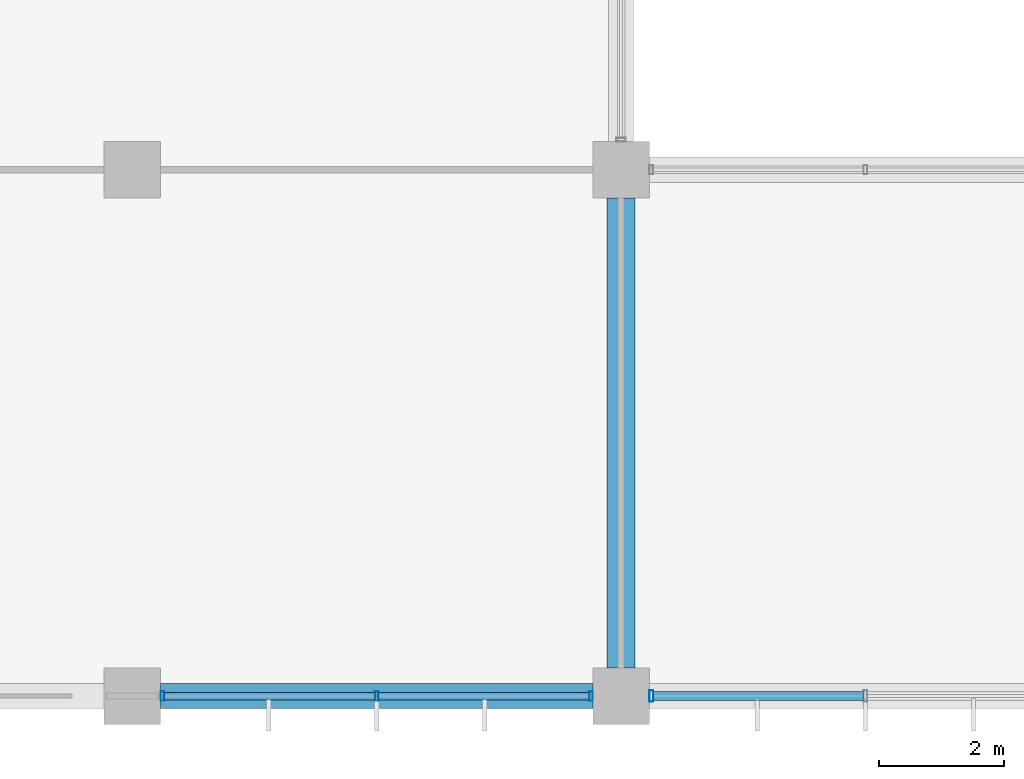
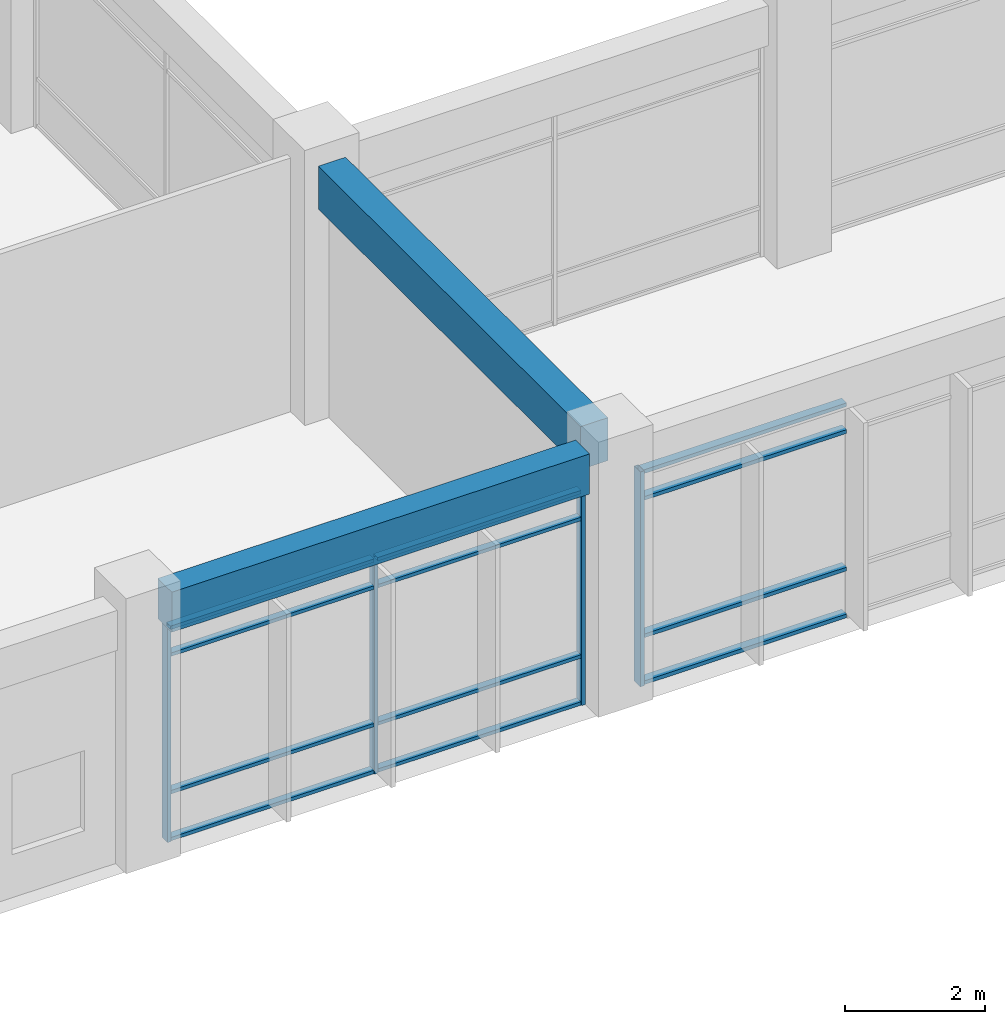
# One storey, part 19 of 79: 16 members, 2 beams, 2 elements without a shape of their own.
"""IFC4 building model written with IfcOpenShell, lengths in metres."""

from ifc_helpers import new_model, si_unit, direction, frame, origin, origin_2d, place, context, subcontext, project, spatial, rectangle, hollow_rectangle, extrude, material, material_profile, profile_set, type_object, element, aggregate, save


model = new_model("IFC4")

# Units and contexts
model_context = context("Model", 3, precision=1e-05, world=origin(), true_north=direction((0.0, 1.0)))
body_context = subcontext(model_context, "Body", "Model", "MODEL_VIEW")
ifc_project = project(units=[si_unit("LENGTHUNIT", "METRE"), si_unit("AREAUNIT", "SQUARE_METRE"), si_unit("VOLUMEUNIT", "CUBIC_METRE"), si_unit("PLANEANGLEUNIT", "RADIAN"), si_unit("MASSUNIT", "GRAM", prefix="KILO"), si_unit("THERMODYNAMICTEMPERATUREUNIT", "KELVIN"), si_unit("POWERUNIT", "WATT")], contexts=[model_context])

# Site, building, storey
site_placement = place(None, origin())
site = spatial("IfcSite", under=ifc_project, at=site_placement, CompositionType="ELEMENT")
building_placement = place(site_placement, origin())
building = spatial("IfcBuilding", under=site, at=building_placement, Name="Srebrne Nadtorze General Hospital", CompositionType="ELEMENT")
storey_placement = place(building_placement, frame((0.0, 0.0, 4.800048828125)))
storey = spatial("IfcBuildingStorey", under=building, at=storey_placement, Name="L01", CompositionType="ELEMENT", Elevation=4.800048828125)

# Curtain wall, members
ifc_material_1 = material(Name="Anodised Aluminium", Category="aluminium")
curtain_wall_type = type_object("IfcCurtainWallType", Name="Unitised curtain wall 6900x3750", PredefinedType="NOTDEFINED", material=ifc_material_1)
curtain_wall_1_placement = place(storey_placement, origin())
curtain_wall_1 = element("IfcCurtainWall", 1, at=curtain_wall_1_placement, inside=storey, type_object=curtain_wall_type, Name="Curtain wall CW-036", PredefinedType="NOTDEFINED")
ifc_material_2 = material(Name="Anodised Aluminium", Category="aluminium")
ifc_material_profile_1 = material_profile(ifc_material_2, hollow_rectangle(XDim=0.06005859375, YDim=0.14990234375, WallThickness=0.00390625, at=origin_2d()), Name="AL-MUL-60x150")
ifc_profile_set_1 = profile_set([ifc_material_profile_1], Name="Anodised Aluminium")
member_type_1 = type_object("IfcMemberType", Name="Curtain mullion 60x150", PredefinedType="MULLION", material=ifc_profile_set_1)
member_1_placement = place(storey_placement, frame((109.679931640625, 0.0, 0.0), z_axis=(0.0, 0.0, 1.0), x_axis=(1.0, 0.0, 0.0)))
member_1 = element("IfcMember", 2, at=member_1_placement, type_object=member_type_1, Name="CW-036 mullion 1", PredefinedType="MULLION", context=body_context, shape_type="SweptSolid", body=[
    extrude(hollow_rectangle(XDim=0.06005859375, YDim=0.14990234375, WallThickness=0.00390625, at=origin_2d()), origin(), (0.0, 0.0, 1.0), 3.75),
])
member_2_placement = place(storey_placement, frame((113.10009765625, 0.0, 0.0), z_axis=(0.0, 0.0, 1.0), x_axis=(1.0, 0.0, 0.0)))
member_2 = element("IfcMember", 3, at=member_2_placement, type_object=member_type_1, Name="CW-036 mullion 2", PredefinedType="MULLION", context=body_context, shape_type="SweptSolid", body=[
    extrude(hollow_rectangle(XDim=0.06005859375, YDim=0.14990234375, WallThickness=0.00390625, at=origin_2d()), origin(), (0.0, 0.0, 1.0), 3.75),
])
member_3_placement = place(storey_placement, frame((116.52001953125, 0.0, 0.0), z_axis=(0.0, 0.0, 1.0), x_axis=(1.0, 0.0, 0.0)))
member_3 = element("IfcMember", 4, at=member_3_placement, type_object=member_type_1, Name="CW-036 mullion 3", PredefinedType="MULLION", context=body_context, shape_type="SweptSolid", body=[
    extrude(hollow_rectangle(XDim=0.06005859375, YDim=0.14990234375, WallThickness=0.00390625, at=origin_2d()), origin(), (0.0, 0.0, 1.0), 3.75),
])

# Curtain wall, member
curtain_wall_2_placement = place(storey_placement, origin())
curtain_wall_2 = element("IfcCurtainWall", 5, at=curtain_wall_2_placement, inside=storey, type_object=curtain_wall_type, Name="Curtain wall CW-037", PredefinedType="NOTDEFINED")
ifc_material_3 = material(Name="Anodised Aluminium", Category="aluminium")
ifc_material_profile_2 = material_profile(ifc_material_3, hollow_rectangle(XDim=0.06494140625, YDim=0.179931640625, WallThickness=0.00390625, at=origin_2d()), Name="AL-MUL-65x180")
ifc_profile_set_2 = profile_set([ifc_material_profile_2], Name="Anodised Aluminium")
member_type_2 = type_object("IfcMemberType", Name="Curtain mullion 65x180", PredefinedType="MULLION", material=ifc_profile_set_2)
member_4_placement = place(storey_placement, frame((117.482421875, 0.0, 0.0), z_axis=(0.0, 0.0, 1.0), x_axis=(1.0, 0.0, 0.0)))
member_4 = element("IfcMember", 6, at=member_4_placement, type_object=member_type_2, Name="CW-037 mullion 1", PredefinedType="MULLION", context=body_context, shape_type="SweptSolid", body=[
    extrude(hollow_rectangle(XDim=0.06494140625, YDim=0.179931640625, WallThickness=0.00390625, at=origin_2d()), origin(), (0.0, 0.0, 1.0), 3.75),
])

# Member
ifc_material_4 = material(Name="Anodised Aluminium", Category="aluminium")
ifc_material_profile_3 = material_profile(ifc_material_4, hollow_rectangle(XDim=0.06005859375, YDim=0.1201171875, WallThickness=0.00390625, at=origin_2d()), Name="AL-TRN-60x120")
ifc_profile_set_3 = profile_set([ifc_material_profile_3], Name="Anodised Aluminium")
member_type_3 = type_object("IfcMemberType", Name="Curtain transom 60x120", PredefinedType="USERDEFINED", material=ifc_profile_set_3)
member_5_placement = place(storey_placement, frame((109.7099609375, 0.0, 0.030029296875), z_axis=(1.0, 0.0, 0.0), x_axis=(0.0, 0.0, 1.0)))
member_5 = element("IfcMember", 7, at=member_5_placement, type_object=member_type_3, Name="CW-036 transom 1.1", ObjectType="TRANSOM", PredefinedType="USERDEFINED", context=body_context, shape_type="SweptSolid", body=[
    extrude(hollow_rectangle(XDim=0.06005859375, YDim=0.1201171875, WallThickness=0.00390625, at=origin_2d()), origin(), (0.0, 0.0, 1.0), 3.360107421875),
])

member_6_placement = place(storey_placement, frame((109.7099609375, 0.0, 0.849853515625), z_axis=(1.0, 0.0, 0.0), x_axis=(0.0, 0.0, 1.0)))
member_6 = element("IfcMember", 8, at=member_6_placement, type_object=member_type_3, Name="CW-036 transom 1.2", ObjectType="TRANSOM", PredefinedType="USERDEFINED", context=body_context, shape_type="SweptSolid", body=[
    extrude(hollow_rectangle(XDim=0.06005859375, YDim=0.1201171875, WallThickness=0.00390625, at=origin_2d()), origin(), (0.0, 0.0, 1.0), 3.360107421875),
])

member_7_placement = place(storey_placement, frame((109.7099609375, 0.0, 3.25), z_axis=(1.0, 0.0, 0.0), x_axis=(0.0, 0.0, 1.0)))
member_7 = element("IfcMember", 9, at=member_7_placement, type_object=member_type_3, Name="CW-036 transom 1.3", ObjectType="TRANSOM", PredefinedType="USERDEFINED", context=body_context, shape_type="SweptSolid", body=[
    extrude(hollow_rectangle(XDim=0.06005859375, YDim=0.1201171875, WallThickness=0.00390625, at=origin_2d()), origin(), (0.0, 0.0, 1.0), 3.360107421875),
])

member_8_placement = place(storey_placement, frame((109.7099609375, 0.0, 3.719970703125), z_axis=(1.0, 0.0, 0.0), x_axis=(0.0, 0.0, 1.0)))
member_8 = element("IfcMember", 10, at=member_8_placement, type_object=member_type_3, Name="CW-036 transom 1.4", ObjectType="TRANSOM", PredefinedType="USERDEFINED", context=body_context, shape_type="SweptSolid", body=[
    extrude(hollow_rectangle(XDim=0.06005859375, YDim=0.1201171875, WallThickness=0.00390625, at=origin_2d()), origin(), (0.0, 0.0, 1.0), 3.360107421875),
])

member_9_placement = place(storey_placement, frame((113.1298828125, 0.0, 0.030029296875), z_axis=(1.0, 0.0, 0.0), x_axis=(0.0, 0.0, 1.0)))
member_9 = element("IfcMember", 11, at=member_9_placement, type_object=member_type_3, Name="CW-036 transom 2.1", ObjectType="TRANSOM", PredefinedType="USERDEFINED", context=body_context, shape_type="SweptSolid", body=[
    extrude(hollow_rectangle(XDim=0.06005859375, YDim=0.1201171875, WallThickness=0.00390625, at=origin_2d()), origin(), (0.0, 0.0, 1.0), 3.360107421875),
])

member_10_placement = place(storey_placement, frame((113.1298828125, 0.0, 0.849853515625), z_axis=(1.0, 0.0, 0.0), x_axis=(0.0, 0.0, 1.0)))
member_10 = element("IfcMember", 12, at=member_10_placement, type_object=member_type_3, Name="CW-036 transom 2.2", ObjectType="TRANSOM", PredefinedType="USERDEFINED", context=body_context, shape_type="SweptSolid", body=[
    extrude(hollow_rectangle(XDim=0.06005859375, YDim=0.1201171875, WallThickness=0.00390625, at=origin_2d()), origin(), (0.0, 0.0, 1.0), 3.360107421875),
])

member_11_placement = place(storey_placement, frame((113.1298828125, 0.0, 3.25), z_axis=(1.0, 0.0, 0.0), x_axis=(0.0, 0.0, 1.0)))
member_11 = element("IfcMember", 13, at=member_11_placement, type_object=member_type_3, Name="CW-036 transom 2.3", ObjectType="TRANSOM", PredefinedType="USERDEFINED", context=body_context, shape_type="SweptSolid", body=[
    extrude(hollow_rectangle(XDim=0.06005859375, YDim=0.1201171875, WallThickness=0.00390625, at=origin_2d()), origin(), (0.0, 0.0, 1.0), 3.360107421875),
])

member_12_placement = place(storey_placement, frame((113.1298828125, 0.0, 3.719970703125), z_axis=(1.0, 0.0, 0.0), x_axis=(0.0, 0.0, 1.0)))
member_12 = element("IfcMember", 14, at=member_12_placement, type_object=member_type_3, Name="CW-036 transom 2.4", ObjectType="TRANSOM", PredefinedType="USERDEFINED", context=body_context, shape_type="SweptSolid", body=[
    extrude(hollow_rectangle(XDim=0.06005859375, YDim=0.1201171875, WallThickness=0.00390625, at=origin_2d()), origin(), (0.0, 0.0, 1.0), 3.360107421875),
])

aggregate(curtain_wall_1, [member_1, member_2, member_3, member_5, member_6, member_7, member_8, member_9, member_10, member_11, member_12])

ifc_material_5 = material(Name="Anodised Aluminium", Category="aluminium")
ifc_material_profile_4 = material_profile(ifc_material_5, hollow_rectangle(XDim=0.06494140625, YDim=0.139892578125, WallThickness=0.00390625, at=origin_2d()), Name="AL-TRN-65x140")
ifc_profile_set_4 = profile_set([ifc_material_profile_4], Name="Anodised Aluminium")
member_type_4 = type_object("IfcMemberType", Name="Curtain transom 65x140", PredefinedType="USERDEFINED", material=ifc_profile_set_4)
member_13_placement = place(storey_placement, frame((117.514892578125, 0.0, 0.032470703125), z_axis=(1.0, 0.0, 0.0), x_axis=(0.0, 0.0, 1.0)))
member_13 = element("IfcMember", 15, at=member_13_placement, type_object=member_type_4, Name="CW-037 transom 1.1", ObjectType="TRANSOM", PredefinedType="USERDEFINED", context=body_context, shape_type="SweptSolid", body=[
    extrude(hollow_rectangle(XDim=0.06494140625, YDim=0.139892578125, WallThickness=0.00390625, at=origin_2d()), origin(), (0.0, 0.0, 1.0), 3.3525390625),
])

member_14_placement = place(storey_placement, frame((117.514892578125, 0.0, 0.849853515625), z_axis=(1.0, 0.0, 0.0), x_axis=(0.0, 0.0, 1.0)))
member_14 = element("IfcMember", 16, at=member_14_placement, type_object=member_type_4, Name="CW-037 transom 1.2", ObjectType="TRANSOM", PredefinedType="USERDEFINED", context=body_context, shape_type="SweptSolid", body=[
    extrude(hollow_rectangle(XDim=0.06494140625, YDim=0.139892578125, WallThickness=0.00390625, at=origin_2d()), origin(), (0.0, 0.0, 1.0), 3.3525390625),
])

member_15_placement = place(storey_placement, frame((117.514892578125, 0.0, 3.25), z_axis=(1.0, 0.0, 0.0), x_axis=(0.0, 0.0, 1.0)))
member_15 = element("IfcMember", 17, at=member_15_placement, type_object=member_type_4, Name="CW-037 transom 1.3", ObjectType="TRANSOM", PredefinedType="USERDEFINED", context=body_context, shape_type="SweptSolid", body=[
    extrude(hollow_rectangle(XDim=0.06494140625, YDim=0.139892578125, WallThickness=0.00390625, at=origin_2d()), origin(), (0.0, 0.0, 1.0), 3.3525390625),
])

member_16_placement = place(storey_placement, frame((117.514892578125, 0.0, 3.717529296875), z_axis=(1.0, 0.0, 0.0), x_axis=(0.0, 0.0, 1.0)))
member_16 = element("IfcMember", 18, at=member_16_placement, type_object=member_type_4, Name="CW-037 transom 1.4", ObjectType="TRANSOM", PredefinedType="USERDEFINED", context=body_context, shape_type="SweptSolid", body=[
    extrude(hollow_rectangle(XDim=0.06494140625, YDim=0.139892578125, WallThickness=0.00390625, at=origin_2d()), origin(), (0.0, 0.0, 1.0), 3.3525390625),
])

aggregate(curtain_wall_2, [member_4, member_13, member_14, member_15, member_16])

# Beams
ifc_material_6 = material(Name="Concrete C40/50", Category="concrete")
ifc_material_profile_5 = material_profile(ifc_material_6, rectangle(XDim=0.39990234375, YDim=0.699951171875, at=origin_2d()), Name="RC-BM-400x700")
ifc_profile_set_5 = profile_set([ifc_material_profile_5], Name="Concrete C40/50")
beam_type_1 = type_object("IfcBeamType", Name="Edge beam RC 400x700", PredefinedType="BEAM", material=ifc_profile_set_5)
beam_1_placement = place(storey_placement, frame((109.64990234375, 0.0, 4.099853515625), z_axis=(1.0, 0.0, 0.0), x_axis=(0.0, 1.0, 0.0)))
element("IfcBeam", 19, at=beam_1_placement, inside=storey, type_object=beam_type_1, Name="Beam BM-L01-X-0373", PredefinedType="BEAM", context=body_context, shape_type="SweptSolid", body=[
    extrude(rectangle(XDim=0.39990234375, YDim=0.699951171875, at=origin_2d()), origin(), (0.0, 0.0, 1.0), 6.900146484375),
])
ifc_material_7 = material(Name="Concrete C40/50", Category="concrete")
ifc_material_profile_6 = material_profile(ifc_material_7, rectangle(XDim=0.449951171875, YDim=0.75, at=origin_2d()), Name="RC-BM-450x750")
ifc_profile_set_6 = profile_set([ifc_material_profile_6], Name="Concrete C40/50")
beam_type_2 = type_object("IfcBeamType", Name="Primary beam RC 450x750", PredefinedType="BEAM", material=ifc_profile_set_6)
beam_2_placement = place(storey_placement, frame((117.0, 0.449951171875, 4.074951171875), z_axis=(0.0, 1.0, 0.0), x_axis=(-1.0, 0.0, 0.0)))
element("IfcBeam", 20, at=beam_2_placement, inside=storey, type_object=beam_type_2, Name="Beam BM-L01-Y-0514", PredefinedType="BEAM", context=body_context, shape_type="SweptSolid", body=[
    extrude(rectangle(XDim=0.449951171875, YDim=0.75, at=origin_2d()), origin(), (0.0, 0.0, 1.0), 7.5),
])

save(model, "model.ifc")
